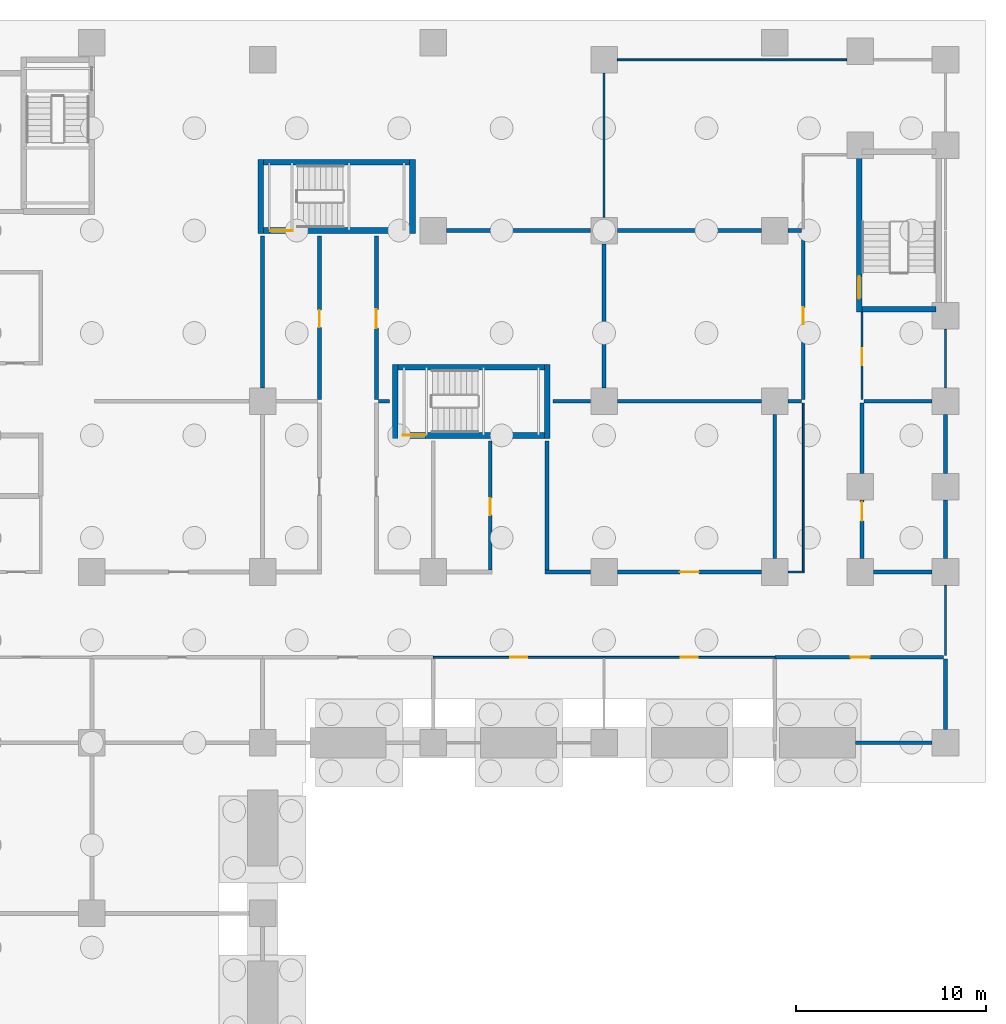
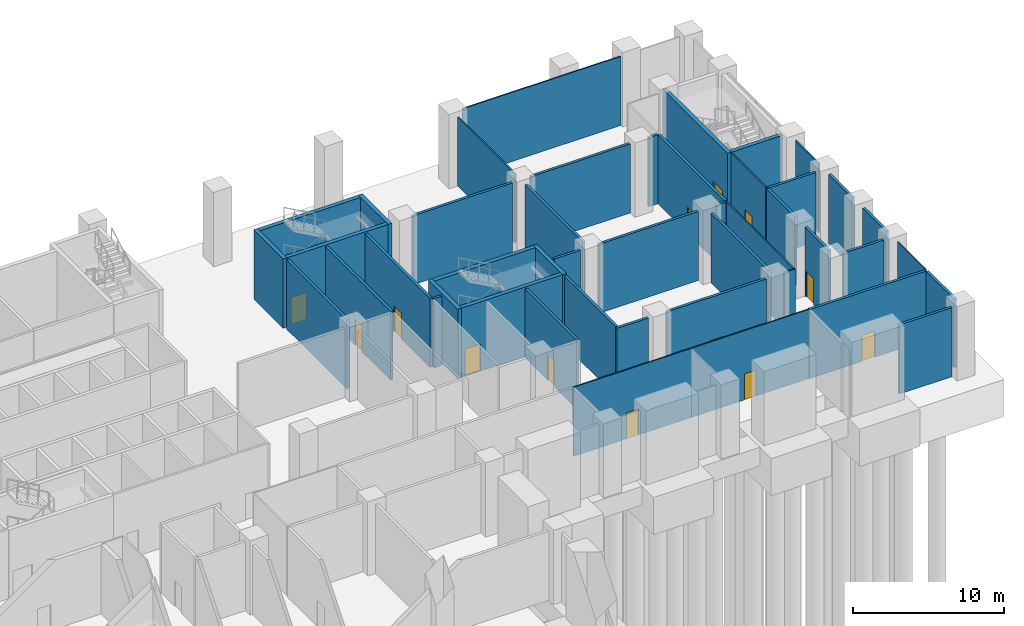
# One storey, part 6 of 12: 45 walls, 13 doors, 13 openings.
"""IFC4 building model written with IfcOpenShell, lengths in metres."""

from ifc_helpers import new_model, si_unit, direction, frame, frame_2d, origin, place, context, subcontext, project, spatial, rectangle, extrude, material, layer, layer_set, type_object, element, fill, save


model = new_model("IFC4")

# Units and contexts
model_context = context("Model", 3, precision=1e-05, world=origin(), true_north=direction((0.0, 1.0)))
body_context = subcontext(model_context, "Body", "Model", "MODEL_VIEW")
ifc_project = project(units=[si_unit("LENGTHUNIT", "METRE"), si_unit("AREAUNIT", "SQUARE_METRE"), si_unit("VOLUMEUNIT", "CUBIC_METRE"), si_unit("PLANEANGLEUNIT", "RADIAN"), si_unit("MASSUNIT", "GRAM", prefix="KILO")], contexts=[model_context])

# Site, building, storey
site_placement = place(None, origin())
site = spatial("IfcSite", under=ifc_project, at=site_placement, CompositionType="ELEMENT")
building_placement = place(site_placement, origin())
building = spatial("IfcBuilding", under=site, at=building_placement, Name="Brondeck Convention Tower", CompositionType="ELEMENT")
storey_placement = place(building_placement, frame((0.0, 0.0, -6.0)))
storey = spatial("IfcBuildingStorey", under=building, at=storey_placement, Name="B1", CompositionType="ELEMENT", Elevation=-6.0)

# Walls
ifc_material_1 = material(Name="Concrete block wall C16/20", Category="concrete")
ifc_layer_1 = layer(ifc_material_1, 0.199951171875)
ifc_layer_set_1 = layer_set([ifc_layer_1], Name="Plant room wall 200")
wall_type_1 = type_object("IfcWallType", Name="Plant room wall 200", PredefinedType="PARTITIONING", material=ifc_layer_set_1)
wall_1_placement = place(storey_placement, frame((71.294921875, 27.0, 0.0), z_axis=(0.0, 0.0, 1.0), x_axis=(-1.0, 0.0, 0.0)))
element("IfcWall", 1, at=wall_1_placement, inside=storey, type_object=wall_type_1, Name="FLR-B1-W046", PredefinedType="PARTITIONING", context=body_context, shape_type="SweptSolid", body=[
    extrude(rectangle(XDim=4.0400390625, YDim=0.199951171875, at=frame_2d((2.02001953125, 0.0))), origin(), (0.0, 0.0, 1.0), 5.580078125),
])
wall_2_placement = place(storey_placement, frame((72.0, 31.39990234375, 0.0), z_axis=(0.0, 0.0, 1.0), x_axis=(0.0, -1.0, 0.0)))
element("IfcWall", 2, at=wall_2_placement, inside=storey, type_object=wall_type_1, Name="FLR-B1-W057", PredefinedType="PARTITIONING", context=body_context, shape_type="SweptSolid", body=[
    extrude(rectangle(XDim=3.69482421875, YDim=0.199951171875, at=frame_2d((1.847412109375, 0.0))), origin(), (0.0, 0.0, 1.0), 5.580078125),
])

# Wall, opening, door
wall_3_placement = place(storey_placement, frame((71.89990234375, 31.5, 0.0), z_axis=(0.0, 0.0, 1.0), x_axis=(-1.0, 0.0, 0.0)))
wall_3 = element("IfcWall", 3, at=wall_3_placement, inside=storey, type_object=wall_type_1, Name="FLR-B1-W067", PredefinedType="PARTITIONING", context=body_context, shape_type="SweptSolid", body=[
    extrude(rectangle(XDim=8.89990234375, YDim=0.199951171875, at=frame_2d((4.449951171875, 0.0))), origin(), (0.0, 0.0, 1.0), 5.580078125),
])
opening_1_placement = place(wall_3_placement, frame((3.89990234375, 0.0, 0.0)))
opening_1 = element("IfcOpeningElement", 4, at=opening_1_placement, cuts=wall_3, Name="Opening P-B1-012", PredefinedType="OPENING", context=body_context, shape_type="SweptSolid", body=[
    extrude(rectangle(XDim=1.0, YDim=2.10009765625, at=frame_2d((0.5, 1.050048828125))), frame((0.0, 0.10986328125, 0.0), z_axis=(0.0, -1.0, 0.0), x_axis=(1.0, 0.0, 0.0)), (0.0, 0.0, 1.0), 0.219970703125),
])
ifc_material_2 = material(Name="Steel fire door leaf", Category="steel")
door_type_1 = type_object("IfcDoorType", Name="Plant room door 1000", OperationType="NOTDEFINED", PredefinedType="DOOR", material=ifc_material_2)
door_1_placement = place(opening_1_placement, origin())
door_1 = element("IfcDoor", 5, at=door_1_placement, inside=storey, type_object=door_type_1, Name="Door P-B1-012", OperationType="SINGLE_SWING_RIGHT", OverallHeight=2.10009765625, OverallWidth=1.0, PredefinedType="DOOR", context=body_context, shape_type="SweptSolid", body=[
    extrude(rectangle(XDim=1.0, YDim=2.10009765625, at=frame_2d((0.5, 1.050048828125))), frame((0.0, 0.02490234375, 0.0), z_axis=(0.0, -1.0, 0.0), x_axis=(1.0, 0.0, 0.0)), (0.0, 0.0, 1.0), 0.050048828125),
])
fill(opening_1, door_1)

# Wall
wall_4_placement = place(storey_placement, frame((50.89990234375, 36.0, 0.0), z_axis=(0.0, 0.0, 1.0), x_axis=(1.0, 0.0, 0.0)))
element("IfcWall", 6, at=wall_4_placement, inside=storey, type_object=wall_type_1, Name="FLR-B1-W074", PredefinedType="PARTITIONING", context=body_context, shape_type="SweptSolid", body=[
    extrude(rectangle(XDim=2.39501953125, YDim=0.199951171875, at=frame_2d((1.197509765625, 0.0))), origin(), (0.0, 0.0, 1.0), 5.580078125),
])

# Wall, opening, door
wall_5_placement = place(storey_placement, frame((54.705078125, 36.0, 0.0), z_axis=(0.0, 0.0, 1.0), x_axis=(1.0, 0.0, 0.0)))
wall_5 = element("IfcWall", 7, at=wall_5_placement, inside=storey, type_object=wall_type_1, Name="FLR-B1-W075", PredefinedType="PARTITIONING", context=body_context, shape_type="SweptSolid", body=[
    extrude(rectangle(XDim=7.58984375, YDim=0.199951171875, at=frame_2d((3.794921875, 0.0))), origin(), (0.0, 0.0, 1.0), 5.580078125),
])
opening_2_placement = place(wall_5_placement, frame((3.294921875, 0.0, 0.0)))
opening_2 = element("IfcOpeningElement", 8, at=opening_2_placement, cuts=wall_5, Name="Opening P-B1-019", PredefinedType="OPENING", context=body_context, shape_type="SweptSolid", body=[
    extrude(rectangle(XDim=1.0, YDim=2.10009765625, at=frame_2d((0.5, 1.050048828125))), frame((0.0, 0.10986328125, 0.0), z_axis=(0.0, -1.0, 0.0), x_axis=(1.0, 0.0, 0.0)), (0.0, 0.0, 1.0), 0.219970703125),
])
door_2_placement = place(opening_2_placement, origin())
door_2 = element("IfcDoor", 9, at=door_2_placement, inside=storey, type_object=door_type_1, Name="Door P-B1-019", OperationType="SINGLE_SWING_RIGHT", OverallHeight=2.10009765625, OverallWidth=1.0, PredefinedType="DOOR", context=body_context, shape_type="SweptSolid", body=[
    extrude(rectangle(XDim=1.0, YDim=2.10009765625, at=frame_2d((0.5, 1.050048828125))), frame((0.0, 0.02490234375, 0.0), z_axis=(0.0, -1.0, 0.0), x_axis=(1.0, 0.0, 0.0)), (0.0, 0.0, 1.0), 0.050048828125),
])
fill(opening_2, door_2)

# Wall
wall_6_placement = place(storey_placement, frame((68.205078125, 36.0, 0.0), z_axis=(0.0, 0.0, 1.0), x_axis=(1.0, 0.0, 0.0)))
element("IfcWall", 10, at=wall_6_placement, inside=storey, type_object=wall_type_1, Name="FLR-B1-W077", PredefinedType="PARTITIONING", context=body_context, shape_type="SweptSolid", body=[
    extrude(rectangle(XDim=3.08984375, YDim=0.199951171875, at=frame_2d((1.544921875, 0.0))), origin(), (0.0, 0.0, 1.0), 5.580078125),
])

# Wall, opening, door
wall_7_placement = place(storey_placement, frame((48.0, 36.10009765625, 0.0), z_axis=(0.0, 0.0, 1.0), x_axis=(0.0, 1.0, 0.0)))
wall_7 = element("IfcWall", 11, at=wall_7_placement, inside=storey, type_object=wall_type_1, Name="FLR-B1-W080", PredefinedType="PARTITIONING", context=body_context, shape_type="SweptSolid", body=[
    extrude(rectangle(XDim=6.7998046875, YDim=0.199951171875, at=frame_2d((3.39990234375, 0.0))), origin(), (0.0, 0.0, 1.0), 5.580078125),
])
opening_3_placement = place(wall_7_placement, frame((2.89990234375, 0.0, 0.0)))
opening_3 = element("IfcOpeningElement", 12, at=opening_3_placement, cuts=wall_7, Name="Opening P-B1-015", PredefinedType="OPENING", context=body_context, shape_type="SweptSolid", body=[
    extrude(rectangle(XDim=0.89990234375, YDim=2.10009765625, at=frame_2d((0.449951171875, 1.050048828125))), frame((0.0, 0.10986328125, 0.0), z_axis=(0.0, -1.0, 0.0), x_axis=(1.0, 0.0, 0.0)), (0.0, 0.0, 1.0), 0.219970703125),
])
ifc_material_3 = material(Name="Solid timber door leaf", Category="wood")
door_type_2 = type_object("IfcDoorType", Name="Single door 900", OperationType="NOTDEFINED", PredefinedType="DOOR", material=ifc_material_3)
door_3_placement = place(opening_3_placement, origin())
door_3 = element("IfcDoor", 13, at=door_3_placement, inside=storey, type_object=door_type_2, Name="Door P-B1-015", OperationType="SINGLE_SWING_LEFT", OverallHeight=2.10009765625, OverallWidth=0.89990234375, PredefinedType="DOOR", context=body_context, shape_type="SweptSolid", body=[
    extrude(rectangle(XDim=0.89990234375, YDim=2.10009765625, at=frame_2d((0.449951171875, 1.050048828125))), frame((0.0, 0.02490234375, 0.0), z_axis=(0.0, -1.0, 0.0), x_axis=(1.0, 0.0, 0.0)), (0.0, 0.0, 1.0), 0.050048828125),
])
fill(opening_3, door_3)

wall_8_placement = place(storey_placement, frame((67.60009765625, 39.794921875, 0.0), z_axis=(0.0, 0.0, 1.0), x_axis=(0.0, -1.0, 0.0)))
wall_8 = element("IfcWall", 14, at=wall_8_placement, inside=storey, type_object=wall_type_1, Name="FLR-B1-W082", PredefinedType="PARTITIONING", context=body_context, shape_type="SweptSolid", body=[
    extrude(rectangle(XDim=3.08984375, YDim=0.199951171875, at=frame_2d((1.544921875, 0.0))), origin(), (0.0, 0.0, 1.0), 5.580078125),
])
opening_4_placement = place(wall_8_placement, frame((0.10009765625, 0.0, 0.0)))
opening_4 = element("IfcOpeningElement", 15, at=opening_4_placement, cuts=wall_8, Name="Opening P-B1-020", PredefinedType="OPENING", context=body_context, shape_type="SweptSolid", body=[
    extrude(rectangle(XDim=1.0, YDim=2.10009765625, at=frame_2d((0.5, 1.050048828125))), frame((0.0, 0.10986328125, 0.0), z_axis=(0.0, -1.0, 0.0), x_axis=(1.0, 0.0, 0.0)), (0.0, 0.0, 1.0), 0.219970703125),
])
door_4_placement = place(opening_4_placement, origin())
door_4 = element("IfcDoor", 16, at=door_4_placement, inside=storey, type_object=door_type_1, Name="Door P-B1-020", OperationType="SINGLE_SWING_RIGHT", OverallHeight=2.10009765625, OverallWidth=1.0, PredefinedType="DOOR", context=body_context, shape_type="SweptSolid", body=[
    extrude(rectangle(XDim=1.0, YDim=2.10009765625, at=frame_2d((0.5, 1.050048828125))), frame((0.0, 0.02490234375, 0.0), z_axis=(0.0, -1.0, 0.0), x_axis=(1.0, 0.0, 0.0)), (0.0, 0.0, 1.0), 0.050048828125),
])
fill(opening_4, door_4)

# Walls
wall_9_placement = place(storey_placement, frame((72.0, 39.794921875, 0.0), z_axis=(0.0, 0.0, 1.0), x_axis=(0.0, -1.0, 0.0)))
element("IfcWall", 17, at=wall_9_placement, inside=storey, type_object=wall_type_1, Name="FLR-B1-W083", PredefinedType="PARTITIONING", context=body_context, shape_type="SweptSolid", body=[
    extrude(rectangle(XDim=3.08984375, YDim=0.199951171875, at=frame_2d((1.544921875, 0.0))), origin(), (0.0, 0.0, 1.0), 5.580078125),
])
wall_10_placement = place(storey_placement, frame((51.0, 42.89990234375, 0.0), z_axis=(0.0, 0.0, 1.0), x_axis=(0.0, -1.0, 0.0)))
element("IfcWall", 18, at=wall_10_placement, inside=storey, type_object=wall_type_1, Name="FLR-B1-W084", PredefinedType="PARTITIONING", context=body_context, shape_type="SweptSolid", body=[
    extrude(rectangle(XDim=6.7998046875, YDim=0.199951171875, at=frame_2d((3.39990234375, 0.0))), origin(), (0.0, 0.0, 1.0), 5.580078125),
])
wall_11_placement = place(storey_placement, frame((63.0, 44.294921875, 0.0), z_axis=(0.0, 0.0, 1.0), x_axis=(0.0, -1.0, 0.0)))
element("IfcWall", 19, at=wall_11_placement, inside=storey, type_object=wall_type_1, Name="FLR-B1-W086", PredefinedType="PARTITIONING", context=body_context, shape_type="SweptSolid", body=[
    extrude(rectangle(XDim=7.58984375, YDim=0.199951171875, at=frame_2d((3.794921875, 0.0))), origin(), (0.0, 0.0, 1.0), 5.580078125),
])
wall_12_placement = place(storey_placement, frame((72.0, 44.294921875, 0.0), z_axis=(0.0, 0.0, 1.0), x_axis=(0.0, -1.0, 0.0)))
element("IfcWall", 20, at=wall_12_placement, inside=storey, type_object=wall_type_1, Name="FLR-B1-W087", PredefinedType="PARTITIONING", context=body_context, shape_type="SweptSolid", body=[
    extrude(rectangle(XDim=3.08984375, YDim=0.199951171875, at=frame_2d((1.544921875, 0.0))), origin(), (0.0, 0.0, 1.0), 5.580078125),
])
wall_13_placement = place(storey_placement, frame((67.60009765625, 44.89990234375, 0.0), z_axis=(0.0, 0.0, 1.0), x_axis=(0.0, -1.0, 0.0)))
element("IfcWall", 21, at=wall_13_placement, inside=storey, type_object=wall_type_1, Name="FLR-B1-W089", PredefinedType="PARTITIONING", context=body_context, shape_type="SweptSolid", body=[
    extrude(rectangle(XDim=3.69482421875, YDim=0.199951171875, at=frame_2d((1.847412109375, 0.0))), origin(), (0.0, 0.0, 1.0), 5.580078125),
])
wall_14_placement = place(storey_placement, frame((42.10009765625, 45.0, 0.0), z_axis=(0.0, 0.0, 1.0), x_axis=(1.0, 0.0, 0.0)))
element("IfcWall", 22, at=wall_14_placement, inside=storey, type_object=wall_type_1, Name="FLR-B1-W092", PredefinedType="PARTITIONING", context=body_context, shape_type="SweptSolid", body=[
    extrude(rectangle(XDim=0.599853515625, YDim=0.199951171875, at=frame_2d((0.2998046875, 0.0))), origin(), (0.0, 0.0, 1.0), 5.580078125),
])
wall_15_placement = place(storey_placement, frame((51.300048828125, 45.0, 0.0), z_axis=(0.0, 0.0, 1.0), x_axis=(1.0, 0.0, 0.0)))
element("IfcWall", 23, at=wall_15_placement, inside=storey, type_object=wall_type_1, Name="FLR-B1-W093", PredefinedType="PARTITIONING", context=body_context, shape_type="SweptSolid", body=[
    extrude(rectangle(XDim=1.994873046875, YDim=0.199951171875, at=frame_2d((0.99755859375, 0.0))), origin(), (0.0, 0.0, 1.0), 5.580078125),
])
wall_16_placement = place(storey_placement, frame((54.705078125, 45.0, 0.0), z_axis=(0.0, 0.0, 1.0), x_axis=(1.0, 0.0, 0.0)))
element("IfcWall", 24, at=wall_16_placement, inside=storey, type_object=wall_type_1, Name="FLR-B1-W094", PredefinedType="PARTITIONING", context=body_context, shape_type="SweptSolid", body=[
    extrude(rectangle(XDim=7.58984375, YDim=0.199951171875, at=frame_2d((3.794921875, 0.0))), origin(), (0.0, 0.0, 1.0), 5.580078125),
])
wall_17_placement = place(storey_placement, frame((64.39990234375, 45.0, 0.0), z_axis=(0.0, 0.0, 1.0), x_axis=(-1.0, 0.0, 0.0)))
element("IfcWall", 25, at=wall_17_placement, inside=storey, type_object=wall_type_1, Name="FLR-B1-W095", PredefinedType="PARTITIONING", context=body_context, shape_type="SweptSolid", body=[
    extrude(rectangle(XDim=0.69482421875, YDim=0.199951171875, at=frame_2d((0.347412109375, 0.0))), origin(), (0.0, 0.0, 1.0), 5.580078125),
])
wall_18_placement = place(storey_placement, frame((67.699951171875, 45.0, 0.0), z_axis=(0.0, 0.0, 1.0), x_axis=(1.0, 0.0, 0.0)))
element("IfcWall", 26, at=wall_18_placement, inside=storey, type_object=wall_type_1, Name="FLR-B1-W096", PredefinedType="PARTITIONING", context=body_context, shape_type="SweptSolid", body=[
    extrude(rectangle(XDim=3.594970703125, YDim=0.199951171875, at=frame_2d((1.79736328125, 0.0))), origin(), (0.0, 0.0, 1.0), 5.580078125),
])

# Wall, opening, door
wall_19_placement = place(storey_placement, frame((39.0, 45.10009765625, 0.0), z_axis=(0.0, 0.0, 1.0), x_axis=(0.0, 1.0, 0.0)))
wall_19 = element("IfcWall", 27, at=wall_19_placement, inside=storey, type_object=wall_type_1, Name="FLR-B1-W097", PredefinedType="PARTITIONING", context=body_context, shape_type="SweptSolid", body=[
    extrude(rectangle(XDim=8.599853515625, YDim=0.199951171875, at=frame_2d((4.2998046875, 0.0))), origin(), (0.0, 0.0, 1.0), 5.580078125),
])
opening_5_placement = place(wall_19_placement, frame((3.800048828125, 0.0, 0.0)))
opening_5 = element("IfcOpeningElement", 28, at=opening_5_placement, cuts=wall_19, Name="Opening P-B1-022", PredefinedType="OPENING", context=body_context, shape_type="SweptSolid", body=[
    extrude(rectangle(XDim=0.89990234375, YDim=2.10009765625, at=frame_2d((0.449951171875, 1.050048828125))), frame((0.0, 0.10986328125, 0.0), z_axis=(0.0, -1.0, 0.0), x_axis=(1.0, 0.0, 0.0)), (0.0, 0.0, 1.0), 0.219970703125),
])
door_5_placement = place(opening_5_placement, origin())
door_5 = element("IfcDoor", 29, at=door_5_placement, inside=storey, type_object=door_type_2, Name="Door P-B1-022", OperationType="SINGLE_SWING_RIGHT", OverallHeight=2.10009765625, OverallWidth=0.89990234375, PredefinedType="DOOR", context=body_context, shape_type="SweptSolid", body=[
    extrude(rectangle(XDim=0.89990234375, YDim=2.10009765625, at=frame_2d((0.449951171875, 1.050048828125))), frame((0.0, 0.02490234375, 0.0), z_axis=(0.0, -1.0, 0.0), x_axis=(1.0, 0.0, 0.0)), (0.0, 0.0, 1.0), 0.050048828125),
])
fill(opening_5, door_5)

wall_20_placement = place(storey_placement, frame((64.5, 45.10009765625, 0.0), z_axis=(0.0, 0.0, 1.0), x_axis=(0.0, 1.0, 0.0)))
wall_20 = element("IfcWall", 30, at=wall_20_placement, inside=storey, type_object=wall_type_1, Name="FLR-B1-W098", PredefinedType="PARTITIONING", context=body_context, shape_type="SweptSolid", body=[
    extrude(rectangle(XDim=8.7998046875, YDim=0.199951171875, at=frame_2d((4.39990234375, 0.0))), origin(), (0.0, 0.0, 1.0), 5.580078125),
])
opening_6_placement = place(wall_20_placement, frame((3.949951171875, 0.0, 0.0)))
opening_6 = element("IfcOpeningElement", 31, at=opening_6_placement, cuts=wall_20, Name="Opening P-B1-023", PredefinedType="OPENING", context=body_context, shape_type="SweptSolid", body=[
    extrude(rectangle(XDim=0.89990234375, YDim=2.10009765625, at=frame_2d((0.449951171875, 1.050048828125))), frame((0.0, 0.10986328125, 0.0), z_axis=(0.0, -1.0, 0.0), x_axis=(1.0, 0.0, 0.0)), (0.0, 0.0, 1.0), 0.219970703125),
])
door_6_placement = place(opening_6_placement, origin())
door_6 = element("IfcDoor", 32, at=door_6_placement, inside=storey, type_object=door_type_2, Name="Door P-B1-023", OperationType="SINGLE_SWING_RIGHT", OverallHeight=2.10009765625, OverallWidth=0.89990234375, PredefinedType="DOOR", context=body_context, shape_type="SweptSolid", body=[
    extrude(rectangle(XDim=0.89990234375, YDim=2.10009765625, at=frame_2d((0.449951171875, 1.050048828125))), frame((0.0, 0.02490234375, 0.0), z_axis=(0.0, -1.0, 0.0), x_axis=(1.0, 0.0, 0.0)), (0.0, 0.0, 1.0), 0.050048828125),
])
fill(opening_6, door_6)

# Walls
wall_21_placement = place(storey_placement, frame((36.0, 45.705078125, 0.0), z_axis=(0.0, 0.0, 1.0), x_axis=(0.0, 1.0, 0.0)))
element("IfcWall", 33, at=wall_21_placement, inside=storey, type_object=wall_type_1, Name="FLR-B1-W099", PredefinedType="PARTITIONING", context=body_context, shape_type="SweptSolid", body=[
    extrude(rectangle(XDim=7.994873046875, YDim=0.199951171875, at=frame_2d((3.99755859375, 0.0))), origin(), (0.0, 0.0, 1.0), 5.580078125),
])
wall_22_placement = place(storey_placement, frame((54.0, 45.705078125, 0.0), z_axis=(0.0, 0.0, 1.0), x_axis=(0.0, 1.0, 0.0)))
element("IfcWall", 34, at=wall_22_placement, inside=storey, type_object=wall_type_1, Name="FLR-B1-W100", PredefinedType="PARTITIONING", context=body_context, shape_type="SweptSolid", body=[
    extrude(rectangle(XDim=7.58984375, YDim=0.199951171875, at=frame_2d((3.794921875, 0.0))), origin(), (0.0, 0.0, 1.0), 5.580078125),
])

# Wall, opening, door
wall_23_placement = place(storey_placement, frame((42.0, 53.699951171875, 0.0), z_axis=(0.0, 0.0, 1.0), x_axis=(0.0, -1.0, 0.0)))
wall_23 = element("IfcWall", 35, at=wall_23_placement, inside=storey, type_object=wall_type_1, Name="FLR-B1-W103", PredefinedType="PARTITIONING", context=body_context, shape_type="SweptSolid", body=[
    extrude(rectangle(XDim=8.599853515625, YDim=0.199951171875, at=frame_2d((4.2998046875, 0.0))), origin(), (0.0, 0.0, 1.0), 5.580078125),
])
opening_7_placement = place(wall_23_placement, frame((3.85009765625, 0.0, 0.0)))
opening_7 = element("IfcOpeningElement", 36, at=opening_7_placement, cuts=wall_23, Name="Opening P-B1-024", PredefinedType="OPENING", context=body_context, shape_type="SweptSolid", body=[
    extrude(rectangle(XDim=1.0, YDim=2.10009765625, at=frame_2d((0.5, 1.050048828125))), frame((0.0, 0.10986328125, 0.0), z_axis=(0.0, -1.0, 0.0), x_axis=(1.0, 0.0, 0.0)), (0.0, 0.0, 1.0), 0.219970703125),
])
door_7_placement = place(opening_7_placement, origin())
door_7 = element("IfcDoor", 37, at=door_7_placement, inside=storey, type_object=door_type_1, Name="Door P-B1-024", OperationType="SINGLE_SWING_RIGHT", OverallHeight=2.10009765625, OverallWidth=1.0, PredefinedType="DOOR", context=body_context, shape_type="SweptSolid", body=[
    extrude(rectangle(XDim=1.0, YDim=2.10009765625, at=frame_2d((0.5, 1.050048828125))), frame((0.0, 0.02490234375, 0.0), z_axis=(0.0, -1.0, 0.0), x_axis=(1.0, 0.0, 0.0)), (0.0, 0.0, 1.0), 0.050048828125),
])
fill(opening_7, door_7)

# Walls
for number, where, z_axis, x_axis, name in (
    (38, (45.705078125, 54.0, 0.0), (0.0, 0.0, 1.0), (1.0, 0.0, 0.0), "FLR-B1-W105"),
    (39, (62.294921875, 54.0, 0.0), (0.0, 0.0, 1.0), (-1.0, 0.0, 0.0), "FLR-B1-W106"),
):
    element("IfcWall", number, at=place(storey_placement, frame(where, z_axis=z_axis, x_axis=x_axis)), inside=storey, type_object=wall_type_1, Name=name, PredefinedType="PARTITIONING", context=body_context, shape_type="SweptSolid", body=[
        extrude(rectangle(XDim=7.58984375, YDim=0.199951171875, at=frame_2d((3.794921875, 0.0))), origin(), (0.0, 0.0, 1.0), 5.580078125),
    ])
wall_24_placement = place(storey_placement, frame((64.39990234375, 54.0, 0.0), z_axis=(0.0, 0.0, 1.0), x_axis=(-1.0, 0.0, 0.0)))
element("IfcWall", 40, at=wall_24_placement, inside=storey, type_object=wall_type_1, Name="FLR-B1-W107", PredefinedType="PARTITIONING", context=body_context, shape_type="SweptSolid", body=[
    extrude(rectangle(XDim=0.69482421875, YDim=0.199951171875, at=frame_2d((0.347412109375, 0.0))), origin(), (0.0, 0.0, 1.0), 5.580078125),
])

# Wall, opening, door
ifc_material_4 = material(Name="Gypsum board partition on steel studs", Category="steel")
ifc_layer_2 = layer(ifc_material_4, 0.10009765625)
ifc_layer_set_2 = layer_set([ifc_layer_2], Name="Room partition 100")
wall_type_2 = type_object("IfcWallType", Name="Room partition 100", PredefinedType="PARTITIONING", material=ifc_layer_set_2)
wall_25_placement = place(storey_placement, frame((54.0, 31.5, 0.0), z_axis=(0.0, 0.0, 1.0), x_axis=(-1.0, 0.0, 0.0)))
wall_25 = element("IfcWall", 41, at=wall_25_placement, inside=storey, type_object=wall_type_2, Name="FLR-B1-W065", PredefinedType="PARTITIONING", context=body_context, shape_type="SweptSolid", body=[
    extrude(rectangle(XDim=9.0, YDim=0.10009765625, at=frame_2d((4.5, 0.0))), origin(), (0.0, 0.0, 1.0), 5.580078125),
])
opening_8_placement = place(wall_25_placement, frame((4.050048828125, 0.0, 0.0)))
opening_8 = element("IfcOpeningElement", 42, at=opening_8_placement, cuts=wall_25, Name="Opening P-B1-011", PredefinedType="OPENING", context=body_context, shape_type="SweptSolid", body=[
    extrude(rectangle(XDim=0.89990234375, YDim=2.10009765625, at=frame_2d((0.449951171875, 1.050048828125))), frame((0.0, 0.06005859375, 0.0), z_axis=(0.0, -1.0, 0.0), x_axis=(1.0, 0.0, 0.0)), (0.0, 0.0, 1.0), 0.1201171875),
])
door_8_placement = place(opening_8_placement, origin())
door_8 = element("IfcDoor", 43, at=door_8_placement, inside=storey, type_object=door_type_2, Name="Door P-B1-011", OperationType="SINGLE_SWING_RIGHT", OverallHeight=2.10009765625, OverallWidth=0.89990234375, PredefinedType="DOOR", context=body_context, shape_type="SweptSolid", body=[
    extrude(rectangle(XDim=0.89990234375, YDim=2.10009765625, at=frame_2d((0.449951171875, 1.050048828125))), frame((0.0, 0.02490234375, 0.0), z_axis=(0.0, -1.0, 0.0), x_axis=(1.0, 0.0, 0.0)), (0.0, 0.0, 1.0), 0.050048828125),
])
fill(opening_8, door_8)

wall_26_placement = place(storey_placement, frame((63.0, 31.5, 0.0), z_axis=(0.0, 0.0, 1.0), x_axis=(-1.0, 0.0, 0.0)))
wall_26 = element("IfcWall", 44, at=wall_26_placement, inside=storey, type_object=wall_type_2, Name="FLR-B1-W066", PredefinedType="PARTITIONING", context=body_context, shape_type="SweptSolid", body=[
    extrude(rectangle(XDim=9.0, YDim=0.10009765625, at=frame_2d((4.5, 0.0))), origin(), (0.0, 0.0, 1.0), 5.580078125),
])
opening_9_placement = place(wall_26_placement, frame((4.050048828125, 0.0, 0.0)))
opening_9 = element("IfcOpeningElement", 45, at=opening_9_placement, cuts=wall_26, Name="Opening P-B1-007", PredefinedType="OPENING", context=body_context, shape_type="SweptSolid", body=[
    extrude(rectangle(XDim=0.89990234375, YDim=2.10009765625, at=frame_2d((0.449951171875, 1.050048828125))), frame((0.0, 0.06005859375, 0.0), z_axis=(0.0, -1.0, 0.0), x_axis=(1.0, 0.0, 0.0)), (0.0, 0.0, 1.0), 0.1201171875),
])
door_9_placement = place(opening_9_placement, origin())
door_9 = element("IfcDoor", 46, at=door_9_placement, inside=storey, type_object=door_type_2, Name="Door P-B1-007", OperationType="SINGLE_SWING_RIGHT", OverallHeight=2.10009765625, OverallWidth=0.89990234375, PredefinedType="DOOR", context=body_context, shape_type="SweptSolid", body=[
    extrude(rectangle(XDim=0.89990234375, YDim=2.10009765625, at=frame_2d((0.449951171875, 1.050048828125))), frame((0.0, 0.02490234375, 0.0), z_axis=(0.0, -1.0, 0.0), x_axis=(1.0, 0.0, 0.0)), (0.0, 0.0, 1.0), 0.050048828125),
])
fill(opening_9, door_9)

# Walls
wall_27_placement = place(storey_placement, frame((72.0, 35.294921875, 0.0), z_axis=(0.0, 0.0, 1.0), x_axis=(0.0, -1.0, 0.0)))
element("IfcWall", 47, at=wall_27_placement, inside=storey, type_object=wall_type_2, Name="FLR-B1-W069", PredefinedType="PARTITIONING", context=body_context, shape_type="SweptSolid", body=[
    extrude(rectangle(XDim=3.69482421875, YDim=0.10009765625, at=frame_2d((1.847412109375, 0.0))), origin(), (0.0, 0.0, 1.0), 5.580078125),
])
wall_28_placement = place(storey_placement, frame((63.705078125, 36.0, 0.0), z_axis=(0.0, 0.0, 1.0), x_axis=(1.0, 0.0, 0.0)))
element("IfcWall", 48, at=wall_28_placement, inside=storey, type_object=wall_type_2, Name="FLR-B1-W076", PredefinedType="PARTITIONING", context=body_context, shape_type="SweptSolid", body=[
    extrude(rectangle(XDim=0.844970703125, YDim=0.10009765625, at=frame_2d((0.42236328125, 0.0))), origin(), (0.0, 0.0, 1.0), 5.580078125),
])
wall_29_placement = place(storey_placement, frame((64.5, 36.050048828125, 0.0), z_axis=(0.0, 0.0, 1.0), x_axis=(0.0, 1.0, 0.0)))
element("IfcWall", 49, at=wall_29_placement, inside=storey, type_object=wall_type_2, Name="FLR-B1-W078", PredefinedType="PARTITIONING", context=body_context, shape_type="SweptSolid", body=[
    extrude(rectangle(XDim=8.849853515625, YDim=0.10009765625, at=frame_2d((4.4248046875, 0.0))), origin(), (0.0, 0.0, 1.0), 5.580078125),
])
wall_30_placement = place(storey_placement, frame((72.0, 48.794921875, 0.0), z_axis=(0.0, 0.0, 1.0), x_axis=(0.0, -1.0, 0.0)))
element("IfcWall", 50, at=wall_30_placement, inside=storey, type_object=wall_type_2, Name="FLR-B1-W101", PredefinedType="PARTITIONING", context=body_context, shape_type="SweptSolid", body=[
    extrude(rectangle(XDim=3.08984375, YDim=0.10009765625, at=frame_2d((1.544921875, 0.0))), origin(), (0.0, 0.0, 1.0), 5.580078125),
])

# Wall, opening, door
wall_31_placement = place(storey_placement, frame((67.60009765625, 49.699951171875, 0.0), z_axis=(0.0, 0.0, 1.0), x_axis=(0.0, -1.0, 0.0)))
wall_31 = element("IfcWall", 51, at=wall_31_placement, inside=storey, type_object=wall_type_2, Name="FLR-B1-W102", PredefinedType="PARTITIONING", context=body_context, shape_type="SweptSolid", body=[
    extrude(rectangle(XDim=4.599853515625, YDim=0.10009765625, at=frame_2d((2.2998046875, 0.0))), origin(), (0.0, 0.0, 1.0), 5.580078125),
])
opening_10_placement = place(wall_31_placement, frame((1.89990234375, 0.0, 0.0)))
opening_10 = element("IfcOpeningElement", 52, at=opening_10_placement, cuts=wall_31, Name="Opening P-B1-021", PredefinedType="OPENING", context=body_context, shape_type="SweptSolid", body=[
    extrude(rectangle(XDim=0.89990234375, YDim=2.10009765625, at=frame_2d((0.449951171875, 1.050048828125))), frame((0.0, 0.06005859375, 0.0), z_axis=(0.0, -1.0, 0.0), x_axis=(1.0, 0.0, 0.0)), (0.0, 0.0, 1.0), 0.1201171875),
])
door_10_placement = place(opening_10_placement, origin())
door_10 = element("IfcDoor", 53, at=door_10_placement, inside=storey, type_object=door_type_2, Name="Door P-B1-021", OperationType="SINGLE_SWING_LEFT", OverallHeight=2.10009765625, OverallWidth=0.89990234375, PredefinedType="DOOR", context=body_context, shape_type="SweptSolid", body=[
    extrude(rectangle(XDim=0.89990234375, YDim=2.10009765625, at=frame_2d((0.449951171875, 1.050048828125))), frame((0.0, 0.02490234375, 0.0), z_axis=(0.0, -1.0, 0.0), x_axis=(1.0, 0.0, 0.0)), (0.0, 0.0, 1.0), 0.050048828125),
])
fill(opening_10, door_10)

# Walls
wall_32_placement = place(storey_placement, frame((54.0, 54.705078125, 0.0), z_axis=(0.0, 0.0, 1.0), x_axis=(0.0, 1.0, 0.0)))
element("IfcWall", 54, at=wall_32_placement, inside=storey, type_object=wall_type_2, Name="FLR-B1-W109", PredefinedType="PARTITIONING", context=body_context, shape_type="SweptSolid", body=[
    extrude(rectangle(XDim=7.58984375, YDim=0.10009765625, at=frame_2d((3.794921875, 0.0))), origin(), (0.0, 0.0, 1.0), 5.580078125),
])
wall_33_placement = place(storey_placement, frame((54.705078125, 63.0, 0.0), z_axis=(0.0, 0.0, 1.0), x_axis=(1.0, 0.0, 0.0)))
element("IfcWall", 55, at=wall_33_placement, inside=storey, type_object=wall_type_2, Name="FLR-B1-W113", PredefinedType="PARTITIONING", context=body_context, shape_type="SweptSolid", body=[
    extrude(rectangle(XDim=12.08984375, YDim=0.10009765625, at=frame_2d((6.044921875, 0.0))), origin(), (0.0, 0.0, 1.0), 5.580078125),
])

# Wall, opening, door
ifc_material_5 = material(Name="Concrete C80/95", Category="concrete")
ifc_layer_3 = layer(ifc_material_5, 0.300048828125)
ifc_layer_set_3 = layer_set([ifc_layer_3], Name="Stair enclosure wall 300 Concrete C80/95")
wall_type_3 = type_object("IfcWallType", Name="Stair enclosure wall 300 Concrete C80/95", PredefinedType="SHEAR", material=ifc_layer_set_3)
wall_34_placement = place(storey_placement, frame((43.14990234375, 43.199951171875, 0.0), z_axis=(0.0, 0.0, 1.0), x_axis=(1.0, 0.0, 0.0)))
wall_34 = element("IfcWall", 56, at=wall_34_placement, inside=storey, type_object=wall_type_3, Name="B1 core wall", PredefinedType="SHEAR", context=body_context, shape_type="SweptSolid", body=[
    extrude(rectangle(XDim=7.7001953125, YDim=0.300048828125, at=frame_2d((3.85009765625, 0.0))), origin(), (0.0, 0.0, 1.0), 5.60009765625),
])
opening_11_placement = place(wall_34_placement, frame((0.25, 0.0, 0.0)))
opening_11 = element("IfcOpeningElement", 57, at=opening_11_placement, cuts=wall_34, Name="Opening C01-20", PredefinedType="OPENING", context=body_context, shape_type="SweptSolid", body=[
    extrude(rectangle(XDim=1.199951171875, YDim=2.199951171875, at=frame_2d((0.60009765625, 1.10009765625))), frame((0.0, 0.159912109375, 0.0), z_axis=(0.0, -1.0, 0.0), x_axis=(1.0, 0.0, 0.0)), (0.0, 0.0, 1.0), 0.320068359375),
])
ifc_material_6 = material(Name="Steel fire door", Category="steel")
door_type_3 = type_object("IfcDoorType", Name="Stair door 1200x2200 EI 90", OperationType="NOTDEFINED", PredefinedType="DOOR", material=ifc_material_6)
door_11_placement = place(opening_11_placement, origin())
door_11 = element("IfcDoor", 58, at=door_11_placement, inside=storey, type_object=door_type_3, Name="B1 Stair door ST-AF", OperationType="SINGLE_SWING_RIGHT", OverallHeight=2.199951171875, OverallWidth=1.199951171875, PredefinedType="DOOR", context=body_context, shape_type="SweptSolid", body=[
    extrude(rectangle(XDim=1.199951171875, YDim=2.199951171875, at=frame_2d((0.60009765625, 1.10009765625))), frame((0.0, 0.02490234375, 0.0), z_axis=(0.0, -1.0, 0.0), x_axis=(1.0, 0.0, 0.0)), (0.0, 0.0, 1.0), 0.050048828125),
])
fill(opening_11, door_11)

# Walls
wall_35_placement = place(storey_placement, frame((43.14990234375, 46.800048828125, 0.0), z_axis=(0.0, 0.0, 1.0), x_axis=(1.0, 0.0, 0.0)))
element("IfcWall", 59, at=wall_35_placement, inside=storey, type_object=wall_type_3, Name="B1 core wall", PredefinedType="SHEAR", context=body_context, shape_type="SweptSolid", body=[
    extrude(rectangle(XDim=7.7001953125, YDim=0.300048828125, at=frame_2d((3.85009765625, 0.0))), origin(), (0.0, 0.0, 1.0), 5.60009765625),
])
wall_36_placement = place(storey_placement, frame((67.60009765625, 49.85009765625, 0.0), z_axis=(0.0, 0.0, 1.0), x_axis=(1.0, 0.0, 0.0)))
element("IfcWall", 60, at=wall_36_placement, inside=storey, type_object=wall_type_3, Name="B1 core wall", PredefinedType="SHEAR", context=body_context, shape_type="SweptSolid", body=[
    extrude(rectangle(XDim=3.89990234375, YDim=0.300048828125, at=frame_2d((1.949951171875, 0.0))), origin(), (0.0, 0.0, 1.0), 5.60009765625),
])

# Wall, opening, door
wall_37_placement = place(storey_placement, frame((36.050048828125, 54.0, 0.0), z_axis=(0.0, 0.0, 1.0), x_axis=(1.0, 0.0, 0.0)))
wall_37 = element("IfcWall", 61, at=wall_37_placement, inside=storey, type_object=wall_type_3, Name="B1 core wall", PredefinedType="SHEAR", context=body_context, shape_type="SweptSolid", body=[
    extrude(rectangle(XDim=7.699951171875, YDim=0.300048828125, at=frame_2d((3.85009765625, 0.0))), origin(), (0.0, 0.0, 1.0), 5.60009765625),
])
opening_12_placement = place(wall_37_placement, frame((0.35009765625, 0.0, 0.0)))
opening_12 = element("IfcOpeningElement", 62, at=opening_12_placement, cuts=wall_37, Name="Opening C01-19", PredefinedType="OPENING", context=body_context, shape_type="SweptSolid", body=[
    extrude(rectangle(XDim=1.199951171875, YDim=2.199951171875, at=frame_2d((0.60009765625, 1.10009765625))), frame((0.0, 0.159912109375, 0.0), z_axis=(0.0, -1.0, 0.0), x_axis=(1.0, 0.0, 0.0)), (0.0, 0.0, 1.0), 0.320068359375),
])
door_12_placement = place(opening_12_placement, origin())
door_12 = element("IfcDoor", 63, at=door_12_placement, inside=storey, type_object=door_type_3, Name="B1 Stair door ST-AE", OperationType="SINGLE_SWING_LEFT", OverallHeight=2.199951171875, OverallWidth=1.199951171875, PredefinedType="DOOR", context=body_context, shape_type="SweptSolid", body=[
    extrude(rectangle(XDim=1.199951171875, YDim=2.199951171875, at=frame_2d((0.60009765625, 1.10009765625))), frame((0.0, 0.02490234375, 0.0), z_axis=(0.0, -1.0, 0.0), x_axis=(1.0, 0.0, 0.0)), (0.0, 0.0, 1.0), 0.050048828125),
])
fill(opening_12, door_12)

# Walls
wall_38_placement = place(storey_placement, frame((36.050048828125, 57.60009765625, 0.0), z_axis=(0.0, 0.0, 1.0), x_axis=(1.0, 0.0, 0.0)))
element("IfcWall", 64, at=wall_38_placement, inside=storey, type_object=wall_type_3, Name="B1 core wall", PredefinedType="SHEAR", context=body_context, shape_type="SweptSolid", body=[
    extrude(rectangle(XDim=7.699951171875, YDim=0.300048828125, at=frame_2d((3.85009765625, 0.0))), origin(), (0.0, 0.0, 1.0), 5.60009765625),
])
for number, where, z_axis, x_axis, name in (
    (65, (35.89990234375, 53.85009765625, 0.0), (0.0, 0.0, 1.0), (0.0, 1.0, 0.0), "B1 core wall"),
    (66, (43.0, 43.050048828125, 0.0), (0.0, 0.0, 1.0), (0.0, 1.0, 0.0), "B1 core wall"),
    (67, (43.89990234375, 53.85009765625, 0.0), (0.0, 0.0, 1.0), (0.0, 1.0, 0.0), "B1 core wall"),
    (68, (51.0, 43.050048828125, 0.0), (0.0, 0.0, 1.0), (0.0, 1.0, 0.0), "B1 core wall"),
):
    element("IfcWall", number, at=place(storey_placement, frame(where, z_axis=z_axis, x_axis=x_axis)), inside=storey, type_object=wall_type_3, Name=name, PredefinedType="SHEAR", context=body_context, shape_type="SweptSolid", body=[
        extrude(rectangle(XDim=3.89990234375, YDim=0.300048828125, at=frame_2d((1.949951171875, 0.0))), origin(), (0.0, 0.0, 1.0), 5.60009765625),
    ])

# Wall, opening, door
wall_39_placement = place(storey_placement, frame((67.449951171875, 49.699951171875, 0.0), z_axis=(0.0, 0.0, 1.0), x_axis=(0.0, 1.0, 0.0)))
wall_39 = element("IfcWall", 69, at=wall_39_placement, inside=storey, type_object=wall_type_3, Name="B1 core wall", PredefinedType="SHEAR", context=body_context, shape_type="SweptSolid", body=[
    extrude(rectangle(XDim=8.60009765625, YDim=0.300048828125, at=frame_2d((4.300048828125, 0.0))), origin(), (0.0, 0.0, 1.0), 5.60009765625),
])
opening_13_placement = place(wall_39_placement, frame((0.699951171875, 0.0, 0.0)))
opening_13 = element("IfcOpeningElement", 70, at=opening_13_placement, cuts=wall_39, Name="Opening C01-14", PredefinedType="OPENING", context=body_context, shape_type="SweptSolid", body=[
    extrude(rectangle(XDim=1.199951171875, YDim=2.199951171875, at=frame_2d((0.60009765625, 1.10009765625))), frame((0.0, 0.159912109375, 0.0), z_axis=(0.0, -1.0, 0.0), x_axis=(1.0, 0.0, 0.0)), (0.0, 0.0, 1.0), 0.320068359375),
])
door_13_placement = place(opening_13_placement, origin())
door_13 = element("IfcDoor", 71, at=door_13_placement, inside=storey, type_object=door_type_3, Name="B1 Stair door PS-1", OperationType="SINGLE_SWING_RIGHT", OverallHeight=2.199951171875, OverallWidth=1.199951171875, PredefinedType="DOOR", context=body_context, shape_type="SweptSolid", body=[
    extrude(rectangle(XDim=1.199951171875, YDim=2.199951171875, at=frame_2d((0.60009765625, 1.10009765625))), frame((0.0, 0.02490234375, 0.0), z_axis=(0.0, -1.0, 0.0), x_axis=(1.0, 0.0, 0.0)), (0.0, 0.0, 1.0), 0.050048828125),
])
fill(opening_13, door_13)

save(model, "model.ifc")
